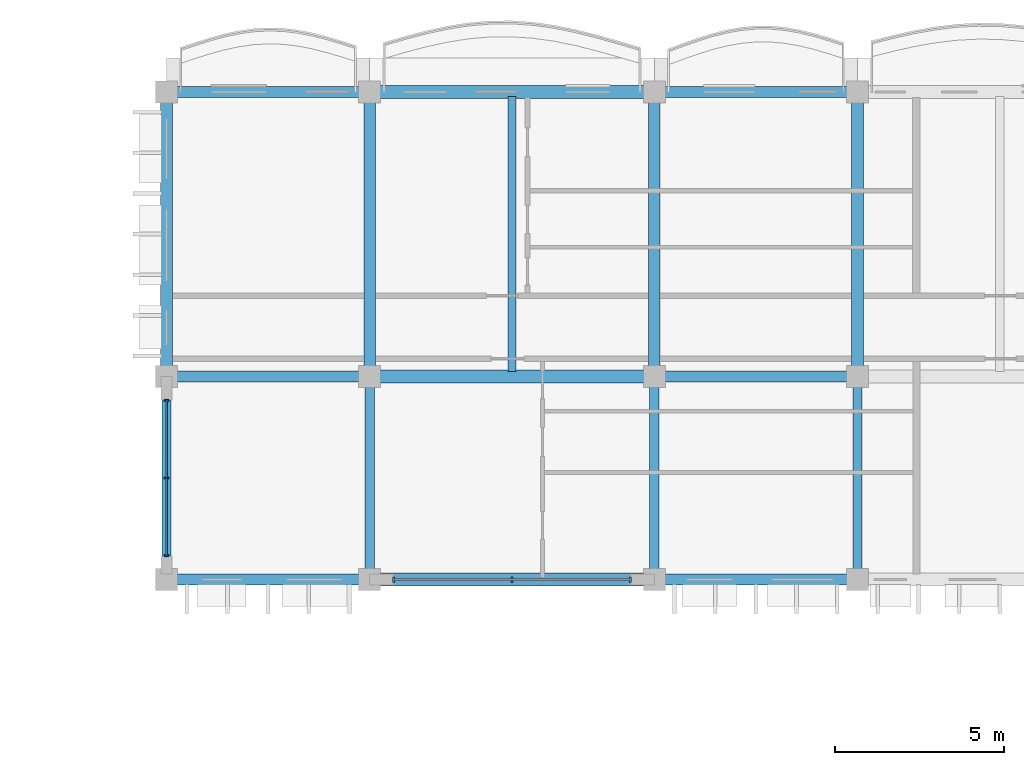
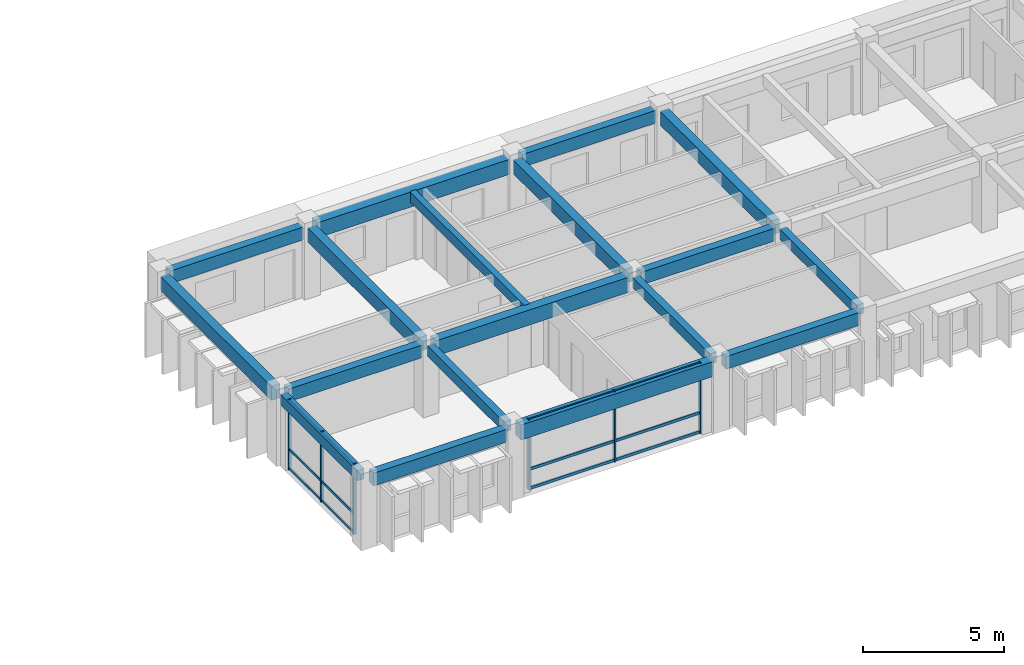
# One storey, part 11 of 76: 18 beams, 12 members, 2 elements without a shape of their own.
"""IFC4 building model written with IfcOpenShell, lengths in metres."""

from ifc_helpers import new_model, si_unit, direction, frame, origin, origin_2d, place, context, subcontext, project, spatial, rectangle, extrude, material, material_profile, profile_set, type_object, element, aggregate, save


model = new_model("IFC4")

# Units and contexts
model_context = context("Model", 3, precision=1e-05, world=origin(), true_north=direction((0.0, 1.0)))
body_context = subcontext(model_context, "Body", "Model", "MODEL_VIEW")
ifc_project = project(units=[si_unit("LENGTHUNIT", "METRE"), si_unit("AREAUNIT", "SQUARE_METRE"), si_unit("VOLUMEUNIT", "CUBIC_METRE"), si_unit("PLANEANGLEUNIT", "RADIAN"), si_unit("MASSUNIT", "GRAM", prefix="KILO"), si_unit("THERMODYNAMICTEMPERATUREUNIT", "KELVIN")], contexts=[model_context])

# Site, building, storey
site_placement = place(None, origin())
site = spatial("IfcSite", under=ifc_project, at=site_placement, CompositionType="ELEMENT")
building_placement = place(site_placement, origin())
building = spatial("IfcBuilding", under=site, at=building_placement, Name="Thalorik Housing Commons", CompositionType="ELEMENT")
storey_placement = place(building_placement, frame((0.0, 0.0, 18.0)))
storey = spatial("IfcBuildingStorey", under=building, at=storey_placement, Name="L05", CompositionType="ELEMENT", Elevation=18.0)

# Curtain wall, members
ifc_material_1 = material(Name="Anodised aluminium and solar-control low-E glass", Category="aluminium")
curtain_wall_type = type_object("IfcCurtainWallType", Name="ARC-CW-LOUNGE", PredefinedType="USERDEFINED", material=ifc_material_1)
curtain_wall_1_placement = place(storey_placement, origin())
curtain_wall_1 = element("IfcCurtainWall", 1, at=curtain_wall_1_placement, inside=storey, type_object=curtain_wall_type, Name="L05 Curtain Wall CW-RES-L05-B-094", ObjectType="CURTAIN WALL", PredefinedType="USERDEFINED")
ifc_material_2 = material(Name="Anodised aluminium 6063-T6", Category="aluminium")
ifc_material_profile_1 = material_profile(ifc_material_2, rectangle(XDim=0.054931640625, YDim=0.139892578125, at=origin_2d()), Name="ALU MUL 55x140", Category="aluminium")
ifc_profile_set_1 = profile_set([ifc_material_profile_1], Name="Anodised aluminium 6063-T6")
member_type_1 = type_object("IfcMemberType", Name="ARC-CW-MUL-55x140", PredefinedType="MULLION", material=ifc_profile_set_1)
member_1_placement = place(storey_placement, frame((80.39990234375, 114.5, 0.0), z_axis=(0.0, 0.0, 1.0), x_axis=(0.0, -1.0, 0.0)))
member_1 = element("IfcMember", 2, at=member_1_placement, type_object=member_type_1, Name="CW-RES-L05-B-094 Mullion 1", PredefinedType="MULLION", context=body_context, shape_type="SweptSolid", body=[
    extrude(rectangle(XDim=0.054931640625, YDim=0.139892578125, at=origin_2d()), origin(), (0.0, 0.0, 1.0), 3.0400390625),
])
member_2_placement = place(storey_placement, frame((80.39990234375, 112.199951171875, 0.0), z_axis=(0.0, 0.0, 1.0), x_axis=(0.0, -1.0, 0.0)))
member_2 = element("IfcMember", 3, at=member_2_placement, type_object=member_type_1, Name="CW-RES-L05-B-094 Mullion 2", PredefinedType="MULLION", context=body_context, shape_type="SweptSolid", body=[
    extrude(rectangle(XDim=0.054931640625, YDim=0.139892578125, at=origin_2d()), origin(), (0.0, 0.0, 1.0), 3.0400390625),
])
member_3_placement = place(storey_placement, frame((80.39990234375, 109.89990234375, 0.0), z_axis=(0.0, 0.0, 1.0), x_axis=(0.0, -1.0, 0.0)))
member_3 = element("IfcMember", 4, at=member_3_placement, type_object=member_type_1, Name="CW-RES-L05-B-094 Mullion 3", PredefinedType="MULLION", context=body_context, shape_type="SweptSolid", body=[
    extrude(rectangle(XDim=0.054931640625, YDim=0.139892578125, at=origin_2d()), origin(), (0.0, 0.0, 1.0), 3.0400390625),
])

curtain_wall_2_placement = place(storey_placement, origin())
curtain_wall_2 = element("IfcCurtainWall", 5, at=curtain_wall_2_placement, inside=storey, type_object=curtain_wall_type, Name="L05 Curtain Wall CW-RES-L05-B-095", ObjectType="CURTAIN WALL", PredefinedType="USERDEFINED")
ifc_material_profile_2 = material_profile(ifc_material_2, rectangle(XDim=0.06005859375, YDim=0.159912109375, at=origin_2d()), Name="ALU MUL 60x160", Category="aluminium")
ifc_profile_set_2 = profile_set([ifc_material_profile_2], Name="Anodised aluminium 6063-T6")
member_type_2 = type_object("IfcMemberType", Name="ARC-CW-MUL-60x160", PredefinedType="MULLION", material=ifc_profile_set_2)
member_4_placement = place(storey_placement, frame((87.10009765625, 109.199951171875, 0.0), z_axis=(0.0, 0.0, 1.0), x_axis=(1.0, 0.0, 0.0)))
member_4 = element("IfcMember", 6, at=member_4_placement, type_object=member_type_2, Name="CW-RES-L05-B-095 Mullion 1", PredefinedType="MULLION", context=body_context, shape_type="SweptSolid", body=[
    extrude(rectangle(XDim=0.06005859375, YDim=0.159912109375, at=origin_2d()), origin(), (0.0, 0.0, 1.0), 3.0400390625),
])
member_5_placement = place(storey_placement, frame((90.60009765625, 109.199951171875, 0.0), z_axis=(0.0, 0.0, 1.0), x_axis=(1.0, 0.0, 0.0)))
member_5 = element("IfcMember", 7, at=member_5_placement, type_object=member_type_2, Name="CW-RES-L05-B-095 Mullion 2", PredefinedType="MULLION", context=body_context, shape_type="SweptSolid", body=[
    extrude(rectangle(XDim=0.06005859375, YDim=0.159912109375, at=origin_2d()), origin(), (0.0, 0.0, 1.0), 3.0400390625),
])
member_6_placement = place(storey_placement, frame((94.10009765625, 109.199951171875, 0.0), z_axis=(0.0, 0.0, 1.0), x_axis=(1.0, 0.0, 0.0)))
member_6 = element("IfcMember", 8, at=member_6_placement, type_object=member_type_2, Name="CW-RES-L05-B-095 Mullion 3", PredefinedType="MULLION", context=body_context, shape_type="SweptSolid", body=[
    extrude(rectangle(XDim=0.06005859375, YDim=0.159912109375, at=origin_2d()), origin(), (0.0, 0.0, 1.0), 3.0400390625),
])

# Member
ifc_material_profile_3 = material_profile(ifc_material_2, rectangle(XDim=0.054931640625, YDim=0.10498046875, at=origin_2d()), Name="ALU TRN 55x105", Category="aluminium")
ifc_profile_set_3 = profile_set([ifc_material_profile_3], Name="Anodised aluminium 6063-T6")
member_type_3 = type_object("IfcMemberType", Name="ARC-CW-TRN-55x105", PredefinedType="USERDEFINED", material=ifc_profile_set_3)
member_7_placement = place(storey_placement, frame((80.39990234375, 114.5, 0.054931640625), z_axis=(0.0, -1.0, 0.0), x_axis=(1.0, 0.0, 0.0)))
member_7 = element("IfcMember", 9, at=member_7_placement, type_object=member_type_3, Name="CW-RES-L05-B-094 Transom 1", ObjectType="TRANSOM", PredefinedType="USERDEFINED", context=body_context, shape_type="SweptSolid", body=[
    extrude(rectangle(XDim=0.054931640625, YDim=0.10498046875, at=origin_2d()), origin(), (0.0, 0.0, 1.0), 4.60009765625),
])

member_8_placement = place(storey_placement, frame((80.39990234375, 114.5, 0.8798828125), z_axis=(0.0, -1.0, 0.0), x_axis=(1.0, 0.0, 0.0)))
member_8 = element("IfcMember", 10, at=member_8_placement, type_object=member_type_3, Name="CW-RES-L05-B-094 Transom 2", ObjectType="TRANSOM", PredefinedType="USERDEFINED", context=body_context, shape_type="SweptSolid", body=[
    extrude(rectangle(XDim=0.054931640625, YDim=0.10498046875, at=origin_2d()), origin(), (0.0, 0.0, 1.0), 4.60009765625),
])

member_9_placement = place(storey_placement, frame((80.39990234375, 114.5, 2.985107421875), z_axis=(0.0, -1.0, 0.0), x_axis=(1.0, 0.0, 0.0)))
member_9 = element("IfcMember", 11, at=member_9_placement, type_object=member_type_3, Name="CW-RES-L05-B-094 Transom 3", ObjectType="TRANSOM", PredefinedType="USERDEFINED", context=body_context, shape_type="SweptSolid", body=[
    extrude(rectangle(XDim=0.054931640625, YDim=0.10498046875, at=origin_2d()), origin(), (0.0, 0.0, 1.0), 4.60009765625),
])

aggregate(curtain_wall_1, [member_1, member_2, member_3, member_7, member_8, member_9])

ifc_material_profile_4 = material_profile(ifc_material_2, rectangle(XDim=0.06005859375, YDim=0.1201171875, at=origin_2d()), Name="ALU TRN 60x120", Category="aluminium")
ifc_profile_set_4 = profile_set([ifc_material_profile_4], Name="Anodised aluminium 6063-T6")
member_type_4 = type_object("IfcMemberType", Name="ARC-CW-TRN-60x120", PredefinedType="USERDEFINED", material=ifc_profile_set_4)
member_10_placement = place(storey_placement, frame((87.10009765625, 109.199951171875, 0.054931640625), z_axis=(1.0, 0.0, 0.0), x_axis=(0.0, 1.0, 0.0)))
member_10 = element("IfcMember", 12, at=member_10_placement, type_object=member_type_4, Name="CW-RES-L05-B-095 Transom 1", ObjectType="TRANSOM", PredefinedType="USERDEFINED", context=body_context, shape_type="SweptSolid", body=[
    extrude(rectangle(XDim=0.06005859375, YDim=0.1201171875, at=origin_2d()), origin(), (0.0, 0.0, 1.0), 7.0),
])

member_11_placement = place(storey_placement, frame((87.10009765625, 109.199951171875, 0.8798828125), z_axis=(1.0, 0.0, 0.0), x_axis=(0.0, 1.0, 0.0)))
member_11 = element("IfcMember", 13, at=member_11_placement, type_object=member_type_4, Name="CW-RES-L05-B-095 Transom 2", ObjectType="TRANSOM", PredefinedType="USERDEFINED", context=body_context, shape_type="SweptSolid", body=[
    extrude(rectangle(XDim=0.06005859375, YDim=0.1201171875, at=origin_2d()), origin(), (0.0, 0.0, 1.0), 7.0),
])

member_12_placement = place(storey_placement, frame((87.10009765625, 109.199951171875, 2.985107421875), z_axis=(1.0, 0.0, 0.0), x_axis=(0.0, 1.0, 0.0)))
member_12 = element("IfcMember", 14, at=member_12_placement, type_object=member_type_4, Name="CW-RES-L05-B-095 Transom 3", ObjectType="TRANSOM", PredefinedType="USERDEFINED", context=body_context, shape_type="SweptSolid", body=[
    extrude(rectangle(XDim=0.06005859375, YDim=0.1201171875, at=origin_2d()), origin(), (0.0, 0.0, 1.0), 7.0),
])

aggregate(curtain_wall_2, [member_4, member_5, member_6, member_10, member_11, member_12])

# Beams
ifc_material_3 = material(Name="Precast concrete C40/50", Category="concrete")
ifc_material_profile_5 = material_profile(ifc_material_3, rectangle(XDim=0.280029296875, YDim=0.449951171875, at=origin_2d()), Name="PC 280x450", Category="concrete")
ifc_profile_set_5 = profile_set([ifc_material_profile_5], Name="Precast concrete C40/50")
beam_type_1 = type_object("IfcBeamType", Name="STR-BM-PC280x450", PredefinedType="BEAM", material=ifc_profile_set_5)
for number, where, z_axis, x_axis, name in (
    (15, (80.39990234375, 109.47509765625, 2.81494140625), (0.0, 1.0, 0.0), (-1.0, 0.0, 0.0), "L05 Beam B-450"),
    (16, (86.39990234375, 109.47509765625, 2.81494140625), (0.0, 1.0, 0.0), (-1.0, 0.0, 0.0), "L05 Beam B-450"),
    (17, (94.800048828125, 109.47509765625, 2.81494140625), (0.0, 1.0, 0.0), (-1.0, 0.0, 0.0), "L05 Beam B-450"),
    (18, (100.800048828125, 109.47509765625, 2.81494140625), (0.0, 1.0, 0.0), (-1.0, 0.0, 0.0), "L05 Beam B-450"),
):
    element("IfcBeam", number, at=place(storey_placement, frame(where, z_axis=z_axis, x_axis=x_axis)), inside=storey, type_object=beam_type_1, Name=name, PredefinedType="BEAM", context=body_context, shape_type="SweptSolid", body=[
        extrude(rectangle(XDim=0.280029296875, YDim=0.449951171875, at=origin_2d()), origin(), (0.0, 0.0, 1.0), 5.449951171875),
    ])
ifc_material_profile_6 = material_profile(ifc_material_3, rectangle(XDim=0.320068359375, YDim=0.550048828125, at=origin_2d()), Name="PC 320x550", Category="concrete")
ifc_profile_set_6 = profile_set([ifc_material_profile_6], Name="Precast concrete C40/50")
beam_type_2 = type_object("IfcBeamType", Name="STR-BM-PC320x550", PredefinedType="BEAM", material=ifc_profile_set_6)
for number, where, z_axis, x_axis, name in (
    (19, (80.675048828125, 109.199951171875, 2.764892578125), (1.0, 0.0, 0.0), (0.0, 1.0, 0.0), "L05 Beam B-550"),
    (20, (95.074951171875, 109.199951171875, 2.764892578125), (1.0, 0.0, 0.0), (0.0, 1.0, 0.0), "L05 Beam B-550"),
    (21, (80.675048828125, 115.199951171875, 2.764892578125), (1.0, 0.0, 0.0), (0.0, 1.0, 0.0), "L05 Beam B-550"),
    (22, (95.074951171875, 115.199951171875, 2.764892578125), (1.0, 0.0, 0.0), (0.0, 1.0, 0.0), "L05 Beam B-550"),
    (23, (80.675048828125, 123.60009765625, 2.764892578125), (1.0, 0.0, 0.0), (0.0, 1.0, 0.0), "L05 Beam B-550"),
    (24, (95.074951171875, 123.60009765625, 2.764892578125), (1.0, 0.0, 0.0), (0.0, 1.0, 0.0), "L05 Beam B-550"),
):
    element("IfcBeam", number, at=place(storey_placement, frame(where, z_axis=z_axis, x_axis=x_axis)), inside=storey, type_object=beam_type_2, Name=name, PredefinedType="BEAM", context=body_context, shape_type="SweptSolid", body=[
        extrude(rectangle(XDim=0.320068359375, YDim=0.550048828125, at=origin_2d()), origin(), (0.0, 0.0, 1.0), 5.449951171875),
    ])
ifc_material_profile_7 = material_profile(ifc_material_3, rectangle(XDim=0.35009765625, YDim=0.60009765625, at=origin_2d()), Name="PC 350x600", Category="concrete")
ifc_profile_set_7 = profile_set([ifc_material_profile_7], Name="Precast concrete C40/50")
beam_type_3 = type_object("IfcBeamType", Name="STR-BM-PC350x600", PredefinedType="BEAM", material=ifc_profile_set_7)
for number, where, z_axis, x_axis, name in (
    (25, (80.39990234375, 115.47509765625, 2.739990234375), (0.0, 1.0, 0.0), (-1.0, 0.0, 0.0), "L05 Beam B-600"),
    (26, (86.39990234375, 115.47509765625, 2.739990234375), (0.0, 1.0, 0.0), (-1.0, 0.0, 0.0), "L05 Beam B-600"),
    (27, (94.800048828125, 115.47509765625, 2.739990234375), (0.0, 1.0, 0.0), (-1.0, 0.0, 0.0), "L05 Beam B-600"),
    (28, (100.800048828125, 115.47509765625, 2.739990234375), (0.0, 1.0, 0.0), (-1.0, 0.0, 0.0), "L05 Beam B-600"),
):
    element("IfcBeam", number, at=place(storey_placement, frame(where, z_axis=z_axis, x_axis=x_axis)), inside=storey, type_object=beam_type_3, Name=name, PredefinedType="BEAM", context=body_context, shape_type="SweptSolid", body=[
        extrude(rectangle(XDim=0.35009765625, YDim=0.60009765625, at=origin_2d()), origin(), (0.0, 0.0, 1.0), 7.849853515625),
    ])
ifc_material_profile_8 = material_profile(ifc_material_3, rectangle(XDim=0.3798828125, YDim=0.64990234375, at=origin_2d()), Name="PC 380x650", Category="concrete")
ifc_profile_set_8 = profile_set([ifc_material_profile_8], Name="Precast concrete C40/50")
beam_type_4 = type_object("IfcBeamType", Name="STR-BM-PC380x650", PredefinedType="BEAM", material=ifc_profile_set_8)
for number, where, z_axis, x_axis, name in (
    (29, (86.675048828125, 109.199951171875, 2.715087890625), (1.0, 0.0, 0.0), (0.0, 1.0, 0.0), "L05 Beam B-650"),
    (30, (86.675048828125, 115.199951171875, 2.715087890625), (1.0, 0.0, 0.0), (0.0, 1.0, 0.0), "L05 Beam B-650"),
    (31, (86.675048828125, 123.60009765625, 2.715087890625), (1.0, 0.0, 0.0), (0.0, 1.0, 0.0), "L05 Beam B-650"),
):
    element("IfcBeam", number, at=place(storey_placement, frame(where, z_axis=z_axis, x_axis=x_axis)), inside=storey, type_object=beam_type_4, Name=name, PredefinedType="BEAM", context=body_context, shape_type="SweptSolid", body=[
        extrude(rectangle(XDim=0.3798828125, YDim=0.64990234375, at=origin_2d()), origin(), (0.0, 0.0, 1.0), 7.849853515625),
    ])
ifc_material_profile_9 = material_profile(ifc_material_3, rectangle(XDim=0.239990234375, YDim=0.43994140625, at=origin_2d()), Name="PC JST 240x440", Category="concrete")
ifc_profile_set_9 = profile_set([ifc_material_profile_9], Name="Precast concrete C40/50")
beam_type_5 = type_object("IfcBeamType", Name="STR-JST-PC240x440", PredefinedType="JOIST", material=ifc_profile_set_9)
beam_placement = place(storey_placement, frame((90.60009765625, 115.340087890625, 2.820068359375), z_axis=(0.0, 1.0, 0.0), x_axis=(-1.0, 0.0, 0.0)))
element("IfcBeam", 32, at=beam_placement, inside=storey, type_object=beam_type_5, Name="L05 Beam J-440", PredefinedType="JOIST", context=body_context, shape_type="SweptSolid", body=[
    extrude(rectangle(XDim=0.239990234375, YDim=0.43994140625, at=origin_2d()), origin(), (0.0, 0.0, 1.0), 8.119873046875),
])

save(model, "model.ifc")
